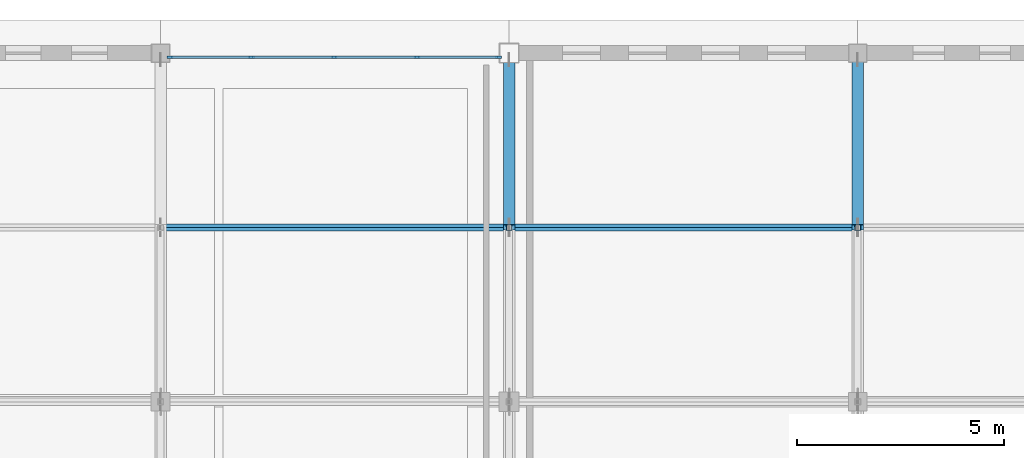
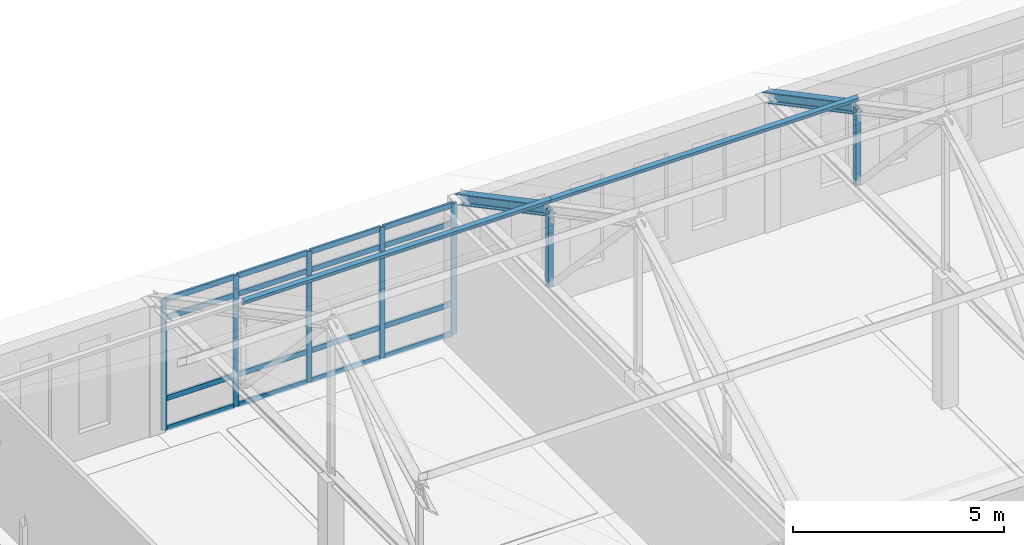
# One storey, part 26 of 56: 27 members, 1 element without a shape of its own.
"""IFC4 building model written with IfcOpenShell, lengths in metres."""

from ifc_helpers import new_model, si_unit, direction, frame, origin, origin_2d, place, context, subcontext, project, spatial, rectangle, hollow_rectangle, i_section, extrude, material, layer, layer_set, material_profile, profile_set, type_object, element, aggregate, save


model = new_model("IFC4")

# Units and contexts
model_context = context("Model", 3, precision=1e-05, world=origin(), true_north=direction((0.0, 1.0)))
body_context = subcontext(model_context, "Body", "Model", "MODEL_VIEW")
ifc_project = project(units=[si_unit("LENGTHUNIT", "METRE"), si_unit("AREAUNIT", "SQUARE_METRE"), si_unit("VOLUMEUNIT", "CUBIC_METRE"), si_unit("PLANEANGLEUNIT", "RADIAN"), si_unit("MASSUNIT", "GRAM", prefix="KILO")], contexts=[model_context])

# Site, building, storey
site_placement = place(None, origin())
site = spatial("IfcSite", under=ifc_project, at=site_placement, CompositionType="ELEMENT")
building_placement = place(site_placement, origin())
building = spatial("IfcBuilding", under=site, at=building_placement, Name="Kveldsbrygga Polytechnic", CompositionType="ELEMENT")
storey_placement = place(building_placement, frame((0.0, 0.0, 18.02001953125)))
storey = spatial("IfcBuildingStorey", under=building, at=storey_placement, Name="L04", CompositionType="ELEMENT", Elevation=18.02001953125)

# Curtain wall, members
ifc_material_1 = material(Name="Anodised aluminium AW-6060", Category="aluminium")
ifc_layer = layer(ifc_material_1, 0.199951171875)
ifc_layer_set = layer_set([ifc_layer], Name="Anodised aluminium AW-6060")
curtain_wall_type = type_object("IfcCurtainWallType", Name="CW-LANC-E", PredefinedType="USERDEFINED", material=ifc_layer_set)
curtain_wall_placement = place(storey_placement, origin())
curtain_wall = element("IfcCurtainWall", 1, at=curtain_wall_placement, inside=storey, type_object=curtain_wall_type, Name="Curtain Wall CW-L04-X-17-14", ObjectType="UNITISED CURTAIN WALL", PredefinedType="USERDEFINED")
ifc_material_profile_1 = material_profile(ifc_material_1, rectangle(XDim=0.06005859375, YDim=0.139892578125, at=origin_2d()), Name="ALU 60x140")
ifc_profile_set_1 = profile_set([ifc_material_profile_1], Name="Anodised aluminium AW-6060")
member_type_1 = type_object("IfcMemberType", Name="CW-MUL-140", PredefinedType="MULLION", material=ifc_profile_set_1)
member_1_placement = place(storey_placement, frame((143.02490234375, 117.5, 0.0), z_axis=(0.0, 0.0, 1.0), x_axis=(0.0, 1.0, 0.0)))
member_1 = element("IfcMember", 2, at=member_1_placement, type_object=member_type_1, Name="CW-05 mullion 1", PredefinedType="MULLION", context=body_context, shape_type="SweptSolid", body=[
    extrude(rectangle(XDim=0.06005859375, YDim=0.139892578125, at=origin_2d()), origin(), (0.0, 0.0, 1.0), 3.780029296875),
])
member_2_placement = place(storey_placement, frame((144.989990234375, 117.5, 0.0), z_axis=(0.0, 0.0, 1.0), x_axis=(0.0, 1.0, 0.0)))
member_2 = element("IfcMember", 3, at=member_2_placement, type_object=member_type_1, Name="CW-05 mullion 2", PredefinedType="MULLION", context=body_context, shape_type="SweptSolid", body=[
    extrude(rectangle(XDim=0.06005859375, YDim=0.139892578125, at=origin_2d()), origin(), (0.0, 0.0, 1.0), 3.780029296875),
])
member_3_placement = place(storey_placement, frame((146.985107421875, 117.5, 0.0), z_axis=(0.0, 0.0, 1.0), x_axis=(0.0, 1.0, 0.0)))
member_3 = element("IfcMember", 4, at=member_3_placement, type_object=member_type_1, Name="CW-05 mullion 3", PredefinedType="MULLION", context=body_context, shape_type="SweptSolid", body=[
    extrude(rectangle(XDim=0.06005859375, YDim=0.139892578125, at=origin_2d()), origin(), (0.0, 0.0, 1.0), 3.780029296875),
])
member_4_placement = place(storey_placement, frame((148.97998046875, 117.5, 0.0), z_axis=(0.0, 0.0, 1.0), x_axis=(0.0, 1.0, 0.0)))
member_4 = element("IfcMember", 5, at=member_4_placement, type_object=member_type_1, Name="CW-05 mullion 4", PredefinedType="MULLION", context=body_context, shape_type="SweptSolid", body=[
    extrude(rectangle(XDim=0.06005859375, YDim=0.139892578125, at=origin_2d()), origin(), (0.0, 0.0, 1.0), 3.780029296875),
])
member_5_placement = place(storey_placement, frame((150.945068359375, 117.5, 0.0), z_axis=(0.0, 0.0, 1.0), x_axis=(0.0, 1.0, 0.0)))
member_5 = element("IfcMember", 6, at=member_5_placement, type_object=member_type_1, Name="CW-05 mullion 5", PredefinedType="MULLION", context=body_context, shape_type="SweptSolid", body=[
    extrude(rectangle(XDim=0.06005859375, YDim=0.139892578125, at=origin_2d()), origin(), (0.0, 0.0, 1.0), 3.780029296875),
])
ifc_material_profile_2 = material_profile(ifc_material_1, rectangle(XDim=0.06005859375, YDim=0.14990234375, at=origin_2d()), Name="ALU 60x150")
ifc_profile_set_2 = profile_set([ifc_material_profile_2], Name="Anodised aluminium AW-6060")
member_type_2 = type_object("IfcMemberType", Name="CW-TRN-150", PredefinedType="USERDEFINED", material=ifc_profile_set_2)
member_6_placement = place(storey_placement, frame((143.054931640625, 117.5, 0.030029296875), z_axis=(1.0, 0.0, 0.0), x_axis=(0.0, 1.0, 0.0)))
member_6 = element("IfcMember", 7, at=member_6_placement, type_object=member_type_2, Name="CW-05 transom 1.1", ObjectType="TRANSOM", PredefinedType="USERDEFINED", context=body_context, shape_type="SweptSolid", body=[
    extrude(rectangle(XDim=0.06005859375, YDim=0.14990234375, at=origin_2d()), origin(), (0.0, 0.0, 1.0), 1.905029296875),
])
member_7_placement = place(storey_placement, frame((143.054931640625, 117.5, 0.89990234375), z_axis=(1.0, 0.0, 0.0), x_axis=(0.0, 1.0, 0.0)))
member_7 = element("IfcMember", 8, at=member_7_placement, type_object=member_type_2, Name="CW-05 transom 1.2", ObjectType="TRANSOM", PredefinedType="USERDEFINED", context=body_context, shape_type="SweptSolid", body=[
    extrude(rectangle(XDim=0.06005859375, YDim=0.14990234375, at=origin_2d()), origin(), (0.0, 0.0, 1.0), 1.905029296875),
])
member_8_placement = place(storey_placement, frame((143.054931640625, 117.5, 3.22998046875), z_axis=(1.0, 0.0, 0.0), x_axis=(0.0, 1.0, 0.0)))
member_8 = element("IfcMember", 9, at=member_8_placement, type_object=member_type_2, Name="CW-05 transom 1.3", ObjectType="TRANSOM", PredefinedType="USERDEFINED", context=body_context, shape_type="SweptSolid", body=[
    extrude(rectangle(XDim=0.06005859375, YDim=0.14990234375, at=origin_2d()), origin(), (0.0, 0.0, 1.0), 1.905029296875),
])
member_9_placement = place(storey_placement, frame((143.054931640625, 117.5, 3.75), z_axis=(1.0, 0.0, 0.0), x_axis=(0.0, 1.0, 0.0)))
member_9 = element("IfcMember", 10, at=member_9_placement, type_object=member_type_2, Name="CW-05 transom 1.4", ObjectType="TRANSOM", PredefinedType="USERDEFINED", context=body_context, shape_type="SweptSolid", body=[
    extrude(rectangle(XDim=0.06005859375, YDim=0.14990234375, at=origin_2d()), origin(), (0.0, 0.0, 1.0), 1.905029296875),
])
member_10_placement = place(storey_placement, frame((145.02001953125, 117.5, 0.030029296875), z_axis=(1.0, 0.0, 0.0), x_axis=(0.0, 1.0, 0.0)))
member_10 = element("IfcMember", 11, at=member_10_placement, type_object=member_type_2, Name="CW-05 transom 2.1", ObjectType="TRANSOM", PredefinedType="USERDEFINED", context=body_context, shape_type="SweptSolid", body=[
    extrude(rectangle(XDim=0.06005859375, YDim=0.14990234375, at=origin_2d()), origin(), (0.0, 0.0, 1.0), 1.93505859375),
])
member_11_placement = place(storey_placement, frame((145.02001953125, 117.5, 0.89990234375), z_axis=(1.0, 0.0, 0.0), x_axis=(0.0, 1.0, 0.0)))
member_11 = element("IfcMember", 12, at=member_11_placement, type_object=member_type_2, Name="CW-05 transom 2.2", ObjectType="TRANSOM", PredefinedType="USERDEFINED", context=body_context, shape_type="SweptSolid", body=[
    extrude(rectangle(XDim=0.06005859375, YDim=0.14990234375, at=origin_2d()), origin(), (0.0, 0.0, 1.0), 1.93505859375),
])
member_12_placement = place(storey_placement, frame((145.02001953125, 117.5, 3.22998046875), z_axis=(1.0, 0.0, 0.0), x_axis=(0.0, 1.0, 0.0)))
member_12 = element("IfcMember", 13, at=member_12_placement, type_object=member_type_2, Name="CW-05 transom 2.3", ObjectType="TRANSOM", PredefinedType="USERDEFINED", context=body_context, shape_type="SweptSolid", body=[
    extrude(rectangle(XDim=0.06005859375, YDim=0.14990234375, at=origin_2d()), origin(), (0.0, 0.0, 1.0), 1.93505859375),
])
member_13_placement = place(storey_placement, frame((145.02001953125, 117.5, 3.75), z_axis=(1.0, 0.0, 0.0), x_axis=(0.0, 1.0, 0.0)))
member_13 = element("IfcMember", 14, at=member_13_placement, type_object=member_type_2, Name="CW-05 transom 2.4", ObjectType="TRANSOM", PredefinedType="USERDEFINED", context=body_context, shape_type="SweptSolid", body=[
    extrude(rectangle(XDim=0.06005859375, YDim=0.14990234375, at=origin_2d()), origin(), (0.0, 0.0, 1.0), 1.93505859375),
])
member_14_placement = place(storey_placement, frame((147.014892578125, 117.5, 0.030029296875), z_axis=(1.0, 0.0, 0.0), x_axis=(0.0, 1.0, 0.0)))
member_14 = element("IfcMember", 15, at=member_14_placement, type_object=member_type_2, Name="CW-05 transom 3.1", ObjectType="TRANSOM", PredefinedType="USERDEFINED", context=body_context, shape_type="SweptSolid", body=[
    extrude(rectangle(XDim=0.06005859375, YDim=0.14990234375, at=origin_2d()), origin(), (0.0, 0.0, 1.0), 1.93505859375),
])
member_15_placement = place(storey_placement, frame((147.014892578125, 117.5, 0.89990234375), z_axis=(1.0, 0.0, 0.0), x_axis=(0.0, 1.0, 0.0)))
member_15 = element("IfcMember", 16, at=member_15_placement, type_object=member_type_2, Name="CW-05 transom 3.2", ObjectType="TRANSOM", PredefinedType="USERDEFINED", context=body_context, shape_type="SweptSolid", body=[
    extrude(rectangle(XDim=0.06005859375, YDim=0.14990234375, at=origin_2d()), origin(), (0.0, 0.0, 1.0), 1.93505859375),
])
member_16_placement = place(storey_placement, frame((147.014892578125, 117.5, 3.22998046875), z_axis=(1.0, 0.0, 0.0), x_axis=(0.0, 1.0, 0.0)))
member_16 = element("IfcMember", 17, at=member_16_placement, type_object=member_type_2, Name="CW-05 transom 3.3", ObjectType="TRANSOM", PredefinedType="USERDEFINED", context=body_context, shape_type="SweptSolid", body=[
    extrude(rectangle(XDim=0.06005859375, YDim=0.14990234375, at=origin_2d()), origin(), (0.0, 0.0, 1.0), 1.93505859375),
])
member_17_placement = place(storey_placement, frame((147.014892578125, 117.5, 3.75), z_axis=(1.0, 0.0, 0.0), x_axis=(0.0, 1.0, 0.0)))
member_17 = element("IfcMember", 18, at=member_17_placement, type_object=member_type_2, Name="CW-05 transom 3.4", ObjectType="TRANSOM", PredefinedType="USERDEFINED", context=body_context, shape_type="SweptSolid", body=[
    extrude(rectangle(XDim=0.06005859375, YDim=0.14990234375, at=origin_2d()), origin(), (0.0, 0.0, 1.0), 1.93505859375),
])
member_18_placement = place(storey_placement, frame((149.010009765625, 117.5, 0.030029296875), z_axis=(1.0, 0.0, 0.0), x_axis=(0.0, 1.0, 0.0)))
member_18 = element("IfcMember", 19, at=member_18_placement, type_object=member_type_2, Name="CW-05 transom 4.1", ObjectType="TRANSOM", PredefinedType="USERDEFINED", context=body_context, shape_type="SweptSolid", body=[
    extrude(rectangle(XDim=0.06005859375, YDim=0.14990234375, at=origin_2d()), origin(), (0.0, 0.0, 1.0), 1.905029296875),
])
member_19_placement = place(storey_placement, frame((149.010009765625, 117.5, 0.89990234375), z_axis=(1.0, 0.0, 0.0), x_axis=(0.0, 1.0, 0.0)))
member_19 = element("IfcMember", 20, at=member_19_placement, type_object=member_type_2, Name="CW-05 transom 4.2", ObjectType="TRANSOM", PredefinedType="USERDEFINED", context=body_context, shape_type="SweptSolid", body=[
    extrude(rectangle(XDim=0.06005859375, YDim=0.14990234375, at=origin_2d()), origin(), (0.0, 0.0, 1.0), 1.905029296875),
])
member_20_placement = place(storey_placement, frame((149.010009765625, 117.5, 3.22998046875), z_axis=(1.0, 0.0, 0.0), x_axis=(0.0, 1.0, 0.0)))
member_20 = element("IfcMember", 21, at=member_20_placement, type_object=member_type_2, Name="CW-05 transom 4.3", ObjectType="TRANSOM", PredefinedType="USERDEFINED", context=body_context, shape_type="SweptSolid", body=[
    extrude(rectangle(XDim=0.06005859375, YDim=0.14990234375, at=origin_2d()), origin(), (0.0, 0.0, 1.0), 1.905029296875),
])
member_21_placement = place(storey_placement, frame((149.010009765625, 117.5, 3.75), z_axis=(1.0, 0.0, 0.0), x_axis=(0.0, 1.0, 0.0)))
member_21 = element("IfcMember", 22, at=member_21_placement, type_object=member_type_2, Name="CW-05 transom 4.4", ObjectType="TRANSOM", PredefinedType="USERDEFINED", context=body_context, shape_type="SweptSolid", body=[
    extrude(rectangle(XDim=0.06005859375, YDim=0.14990234375, at=origin_2d()), origin(), (0.0, 0.0, 1.0), 1.905029296875),
])
aggregate(curtain_wall, [member_1, member_2, member_3, member_4, member_5, member_6, member_7, member_8, member_9, member_10, member_11, member_12, member_13, member_14, member_15, member_16, member_17, member_18, member_19, member_20, member_21])

# Members
ifc_material_2 = material(Name="Steel S355", Category="steel")
ifc_material_profile_3 = material_profile(ifc_material_2, hollow_rectangle(XDim=0.10009765625, YDim=0.179931640625, WallThickness=0.008056640625, at=origin_2d()), Name="RHS 180x100x8.0")
ifc_profile_set_3 = profile_set([ifc_material_profile_3], Name="Steel S355")
member_type_3 = type_object("IfcMemberType", Name="PRL-RHS180", PredefinedType="PURLIN", material=ifc_profile_set_3)
member_22_placement = place(storey_placement, frame((142.800048828125, 113.39990234375, 6.265380859375), z_axis=(1.0, 0.0, 0.0), x_axis=(0.0, 0.883660254474, 0.468128779998)))
element("IfcMember", 23, at=member_22_placement, inside=storey, type_object=member_type_3, Name="Roof Purlin V4N5-PRL-3-3", PredefinedType="PURLIN", context=body_context, shape_type="SweptSolid", body=[
    extrude(hollow_rectangle(XDim=0.10009765625, YDim=0.179931640625, WallThickness=0.008056640625, at=origin_2d()), origin(), (0.0, 0.0, 1.0), 8.39990234375),
])
member_23_placement = place(storey_placement, frame((151.199951171875, 113.39990234375, 6.265380859375), z_axis=(1.0, 0.0, 0.0), x_axis=(0.0, 0.883660254474, 0.468128779998)))
element("IfcMember", 24, at=member_23_placement, inside=storey, type_object=member_type_3, Name="Roof Purlin V4N5-PRL-4-3", PredefinedType="PURLIN", context=body_context, shape_type="SweptSolid", body=[
    extrude(hollow_rectangle(XDim=0.10009765625, YDim=0.179931640625, WallThickness=0.008056640625, at=origin_2d()), origin(), (0.0, 0.0, 1.0), 8.400146484375),
])
ifc_material_profile_4 = material_profile(ifc_material_2, hollow_rectangle(XDim=0.139892578125, YDim=0.139892578125, WallThickness=0.008056640625, at=origin_2d()), Name="SHS 140x140x8.0")
ifc_profile_set_4 = profile_set([ifc_material_profile_4], Name="Steel S355")
member_type_4 = type_object("IfcMemberType", Name="TR-POST-SHS140", PredefinedType="STRUT", material=ifc_profile_set_4)
for number, where, z_axis, x_axis, name in (
    (25, (151.199951171875, 113.39990234375, 3.780029296875), (0.0, 0.0, 1.0), (1.0, 0.0, 0.0), "Truss Vertical V4N5-T04-VT-3"),
    (26, (159.60009765625, 113.39990234375, 3.780029296875), (0.0, 0.0, 1.0), (1.0, 0.0, 0.0), "Truss Vertical V4N5-T05-VT-3"),
):
    element("IfcMember", number, at=place(storey_placement, frame(where, z_axis=z_axis, x_axis=x_axis)), inside=storey, type_object=member_type_4, Name=name, PredefinedType="STRUT", context=body_context, shape_type="SweptSolid", body=[
        extrude(hollow_rectangle(XDim=0.139892578125, YDim=0.139892578125, WallThickness=0.008056640625, at=origin_2d()), origin(), (0.0, 0.0, 1.0), 2.224853515625),
    ])
ifc_material_profile_5 = material_profile(ifc_material_2, i_section(OverallWidth=0.280029296875, OverallDepth=0.280029296875, WebThickness=0.010498046875, FlangeThickness=0.01806640625, FilletRadius=0.02392578125, at=origin_2d()), Name="HEB 280")
ifc_profile_set_5 = profile_set([ifc_material_profile_5], Name="Steel S355")
member_type_5 = type_object("IfcMemberType", Name="TR-TOP-HEB280", PredefinedType="CHORD", material=ifc_profile_set_5)
for number, where, z_axis, x_axis, name in (
    (27, (151.199951171875, 113.39990234375, 6.0048828125), (0.0, 0.883681693185, -0.468088309114), (-1.0, 0.0, 0.0), "Truss Top Chord V4N5-T04-TC-4"),
    (28, (159.60009765625, 113.39990234375, 6.0048828125), (0.0, 0.883681693185, -0.468088309114), (-1.0, 0.0, 0.0), "Truss Top Chord V4N5-T05-TC-4"),
):
    element("IfcMember", number, at=place(storey_placement, frame(where, z_axis=z_axis, x_axis=x_axis)), inside=storey, type_object=member_type_5, Name=name, PredefinedType="CHORD", context=body_context, shape_type="SweptSolid", body=[
        extrude(i_section(OverallWidth=0.280029296875, OverallDepth=0.280029296875, WebThickness=0.010498046875, FlangeThickness=0.01806640625, FilletRadius=0.02392578125, at=origin_2d()), origin(), (0.0, 0.0, 1.0), 4.753173828125),
    ])

save(model, "model.ifc")
